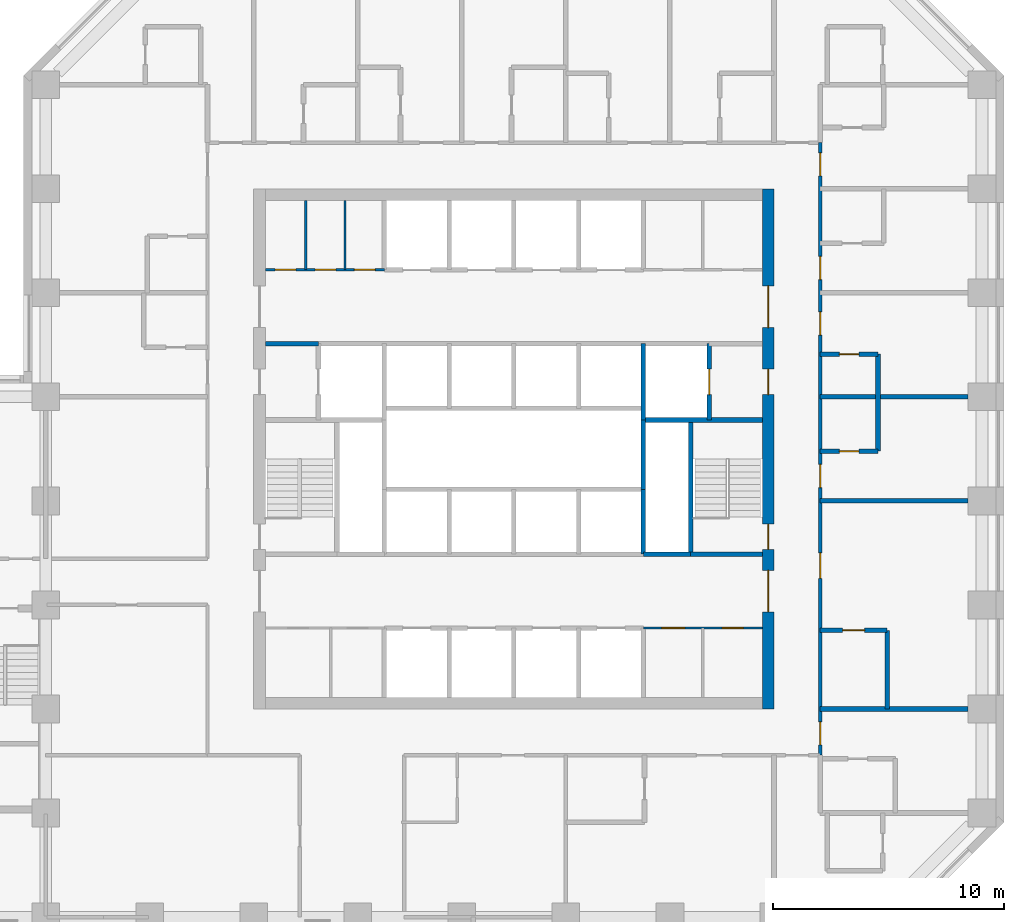
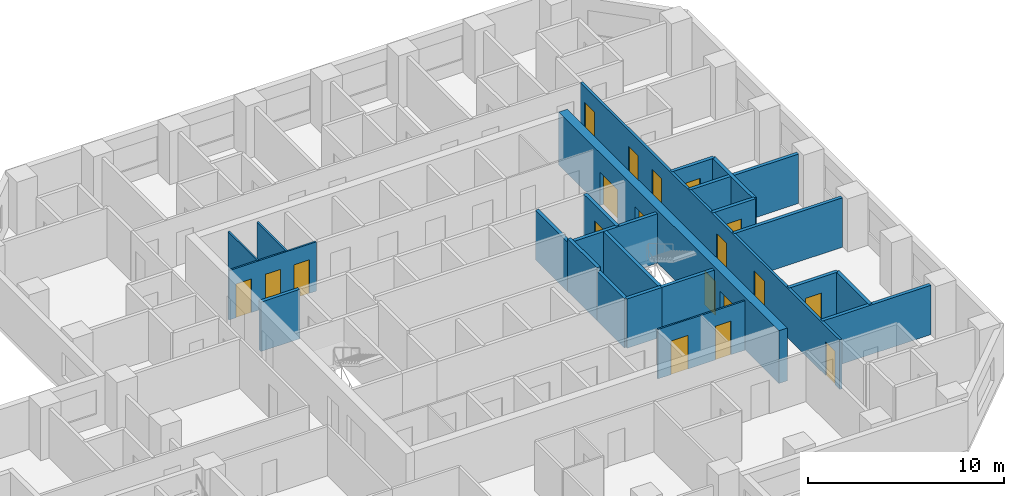
# One storey, part 8 of 12: 23 walls, 19 doors, 19 openings.
"""IFC4 building model written with IfcOpenShell, lengths in metres."""

from ifc_helpers import new_model, si_unit, direction, frame, frame_2d, origin, place, context, subcontext, project, spatial, rectangle, extrude, material, layer, layer_set, type_object, element, fill, save


model = new_model("IFC4")

# Units and contexts
model_context = context("Model", 3, precision=1e-05, world=origin(), true_north=direction((0.0, 1.0)))
body_context = subcontext(model_context, "Body", "Model", "MODEL_VIEW")
ifc_project = project(units=[si_unit("LENGTHUNIT", "METRE"), si_unit("AREAUNIT", "SQUARE_METRE"), si_unit("VOLUMEUNIT", "CUBIC_METRE"), si_unit("PLANEANGLEUNIT", "RADIAN"), si_unit("MASSUNIT", "GRAM", prefix="KILO")], contexts=[model_context])

# Site, building, storey
site_placement = place(None, origin())
site = spatial("IfcSite", under=ifc_project, at=site_placement, CompositionType="ELEMENT")
building_placement = place(site_placement, origin())
building = spatial("IfcBuilding", under=site, at=building_placement, Name="Quoin Convention Tower", CompositionType="ELEMENT")
storey_placement = place(building_placement, frame((0.0, 0.0, 46.199951171875)))
storey = spatial("IfcBuildingStorey", under=building, at=storey_placement, Name="L11", CompositionType="ELEMENT", Elevation=46.199951171875)

# Wall, openings, doors
ifc_material_1 = material(Name="Plasterboard")
ifc_layer_1 = layer(ifc_material_1, 0.012451171875, Name="Finish")
ifc_material_2 = material(Name="Steel stud framing", Category="steel")
ifc_layer_2 = layer(ifc_material_2, 0.074951171875, Name="Structure")
ifc_layer_3 = layer(ifc_material_1, 0.012451171875, Name="Finish")
ifc_layer_set_1 = layer_set([ifc_layer_1, ifc_layer_2, ifc_layer_3], Name="Steel stud framing")
wall_type_1 = type_object("IfcWallType", Name="Core partition wall", PredefinedType="PARTITIONING", material=ifc_layer_set_1)
wall_1_placement = place(storey_placement, frame((61.85009765625, 53.0, 0.0), z_axis=(0.0, 0.0, 1.0), x_axis=(1.0, 0.0, 0.0)))
wall_1 = element("IfcWall", 1, at=wall_1_placement, inside=storey, type_object=wall_type_1, Name="cr-C1-L11-h3500_16850", PredefinedType="PARTITIONING", context=body_context, shape_type="SweptSolid", body=[
    extrude(rectangle(XDim=5.14990234375, YDim=0.10009765625, at=frame_2d((2.574951171875, 0.0))), origin(), (0.0, 0.0, 1.0), 3.080078125),
])
opening_1_placement = place(wall_1_placement, frame((3.41259765625, 0.0, 0.0)))
opening_1 = element("IfcOpeningElement", 2, at=opening_1_placement, cuts=wall_1, Name="Opening DCV4-23", PredefinedType="OPENING", context=body_context, shape_type="SweptSolid", body=[
    extrude(rectangle(XDim=0.89990234375, YDim=2.10009765625, at=frame_2d((0.449951171875, 1.050048828125))), frame((0.0, 0.06005859375, 0.0), z_axis=(0.0, -1.0, 0.0), x_axis=(1.0, 0.0, 0.0)), (0.0, 0.0, 1.0), 0.1201171875),
])
opening_2_placement = place(wall_1_placement, frame((0.78759765625, 0.0, 0.0)))
opening_2 = element("IfcOpeningElement", 3, at=opening_2_placement, cuts=wall_1, Name="Opening DCV4-21", PredefinedType="OPENING", context=body_context, shape_type="SweptSolid", body=[
    extrude(rectangle(XDim=1.0, YDim=2.10009765625, at=frame_2d((0.5, 1.050048828125))), frame((0.0, 0.06005859375, 0.0), z_axis=(0.0, -1.0, 0.0), x_axis=(1.0, 0.0, 0.0)), (0.0, 0.0, 1.0), 0.1201171875),
])
ifc_material_3 = material(Name="Steel door leaf", Category="steel")
door_type_1 = type_object("IfcDoorType", Name="Core room door 1000 x 2100", OperationType="SINGLE_SWING_LEFT", PredefinedType="DOOR", material=ifc_material_3)
door_1_placement = place(opening_2_placement, frame((1.0, 0.0, 0.0), z_axis=(0.0, 0.0, 1.0), x_axis=(-1.0, 0.0, 0.0)))
door_1 = element("IfcDoor", 4, at=door_1_placement, inside=storey, type_object=door_type_1, Name="cd-C1-L11-CSE1-lobA-CD1113", OperationType="SINGLE_SWING_RIGHT", OverallHeight=2.10009765625, OverallWidth=1.0, PredefinedType="DOOR", context=body_context, shape_type="SweptSolid", body=[
    extrude(rectangle(XDim=1.0, YDim=2.10009765625, at=frame_2d((0.5, 1.050048828125))), frame((0.0, 0.02490234375, 0.0), z_axis=(0.0, -1.0, 0.0), x_axis=(1.0, 0.0, 0.0)), (0.0, 0.0, 1.0), 0.050048828125),
])
fill(opening_2, door_1)
door_type_2 = type_object("IfcDoorType", Name="Core room door 900 x 2100", OperationType="SINGLE_SWING_LEFT", PredefinedType="DOOR", material=ifc_material_3)
door_2_placement = place(opening_1_placement, frame((0.89990234375, 0.0, 0.0), z_axis=(0.0, 0.0, 1.0), x_axis=(-1.0, 0.0, 0.0)))
door_2 = element("IfcDoor", 5, at=door_2_placement, inside=storey, type_object=door_type_2, Name="cd-C1-L11-CSE0-lobA-CD1112", OperationType="SINGLE_SWING_LEFT", OverallHeight=2.10009765625, OverallWidth=0.89990234375, PredefinedType="DOOR", context=body_context, shape_type="SweptSolid", body=[
    extrude(rectangle(XDim=0.89990234375, YDim=2.10009765625, at=frame_2d((0.449951171875, 1.050048828125))), frame((0.0, 0.02490234375, 0.0), z_axis=(0.0, -1.0, 0.0), x_axis=(1.0, 0.0, 0.0)), (0.0, 0.0, 1.0), 0.050048828125),
])
fill(opening_1, door_2)

wall_2_placement = place(storey_placement, frame((45.5, 68.5, 0.0), z_axis=(0.0, 0.0, 1.0), x_axis=(1.0, 0.0, 0.0)))
wall_2 = element("IfcWall", 6, at=wall_2_placement, inside=storey, type_object=wall_type_1, Name="cr-C1-L11-h19000_500", PredefinedType="PARTITIONING", context=body_context, shape_type="SweptSolid", body=[
    extrude(rectangle(XDim=5.14990234375, YDim=0.10009765625, at=frame_2d((2.574951171875, 0.0))), origin(), (0.0, 0.0, 1.0), 3.080078125),
])
opening_3_placement = place(wall_2_placement, frame((0.425537109375, 0.0, 0.0)))
opening_3 = element("IfcOpeningElement", 7, at=opening_3_placement, cuts=wall_2, Name="Opening DCV4-18", PredefinedType="OPENING", context=body_context, shape_type="SweptSolid", body=[
    extrude(rectangle(XDim=0.89990234375, YDim=2.10009765625, at=frame_2d((0.449951171875, 1.050048828125))), frame((0.0, 0.06005859375, 0.0), z_axis=(0.0, -1.0, 0.0), x_axis=(1.0, 0.0, 0.0)), (0.0, 0.0, 1.0), 0.1201171875),
])
opening_4_placement = place(wall_2_placement, frame((2.150634765625, 0.0, 0.0)))
opening_4 = element("IfcOpeningElement", 8, at=opening_4_placement, cuts=wall_2, Name="Opening DCV4-19", PredefinedType="OPENING", context=body_context, shape_type="SweptSolid", body=[
    extrude(rectangle(XDim=0.89990234375, YDim=2.10009765625, at=frame_2d((0.449951171875, 1.050048828125))), frame((0.0, 0.06005859375, 0.0), z_axis=(0.0, -1.0, 0.0), x_axis=(1.0, 0.0, 0.0)), (0.0, 0.0, 1.0), 0.1201171875),
])
opening_5_placement = place(wall_2_placement, frame((3.85009765625, 0.0, 0.0)))
opening_5 = element("IfcOpeningElement", 9, at=opening_5_placement, cuts=wall_2, Name="Opening DCV4-20", PredefinedType="OPENING", context=body_context, shape_type="SweptSolid", body=[
    extrude(rectangle(XDim=0.89990234375, YDim=2.10009765625, at=frame_2d((0.449951171875, 1.050048828125))), frame((0.0, 0.06005859375, 0.0), z_axis=(0.0, -1.0, 0.0), x_axis=(1.0, 0.0, 0.0)), (0.0, 0.0, 1.0), 0.1201171875),
])
door_3_placement = place(opening_3_placement, origin())
door_3 = element("IfcDoor", 10, at=door_3_placement, inside=storey, type_object=door_type_2, Name="cd-C1-L11-CNW0-lobB-CD1109", OperationType="SINGLE_SWING_RIGHT", OverallHeight=2.10009765625, OverallWidth=0.89990234375, PredefinedType="DOOR", context=body_context, shape_type="SweptSolid", body=[
    extrude(rectangle(XDim=0.89990234375, YDim=2.10009765625, at=frame_2d((0.449951171875, 1.050048828125))), frame((0.0, 0.02490234375, 0.0), z_axis=(0.0, -1.0, 0.0), x_axis=(1.0, 0.0, 0.0)), (0.0, 0.0, 1.0), 0.050048828125),
])
fill(opening_3, door_3)
door_4_placement = place(opening_4_placement, origin())
door_4 = element("IfcDoor", 11, at=door_4_placement, inside=storey, type_object=door_type_2, Name="cd-C1-L11-CNW1-lobB-CD1110", OperationType="SINGLE_SWING_RIGHT", OverallHeight=2.10009765625, OverallWidth=0.89990234375, PredefinedType="DOOR", context=body_context, shape_type="SweptSolid", body=[
    extrude(rectangle(XDim=0.89990234375, YDim=2.10009765625, at=frame_2d((0.449951171875, 1.050048828125))), frame((0.0, 0.02490234375, 0.0), z_axis=(0.0, -1.0, 0.0), x_axis=(1.0, 0.0, 0.0)), (0.0, 0.0, 1.0), 0.050048828125),
])
fill(opening_4, door_4)
door_5_placement = place(opening_5_placement, origin())
door_5 = element("IfcDoor", 12, at=door_5_placement, inside=storey, type_object=door_type_2, Name="cd-C1-L11-CNW2-lobB-CD1111", OperationType="SINGLE_SWING_RIGHT", OverallHeight=2.10009765625, OverallWidth=0.89990234375, PredefinedType="DOOR", context=body_context, shape_type="SweptSolid", body=[
    extrude(rectangle(XDim=0.89990234375, YDim=2.10009765625, at=frame_2d((0.449951171875, 1.050048828125))), frame((0.0, 0.02490234375, 0.0), z_axis=(0.0, -1.0, 0.0), x_axis=(1.0, 0.0, 0.0)), (0.0, 0.0, 1.0), 0.050048828125),
])
fill(opening_5, door_5)

# Walls
for number, where, z_axis, x_axis, name in (
    (13, (47.2509765625, 68.5, 0.0), (0.0, 0.0, 1.0), (0.0, 1.0, 0.0), "cr-C1-L11-v2251_19000"),
    (14, (48.950439453125, 68.5, 0.0), (0.0, 0.0, 1.0), (0.0, 1.0, 0.0), "cr-C1-L11-v3950_19000"),
):
    element("IfcWall", number, at=place(storey_placement, frame(where, z_axis=z_axis, x_axis=x_axis)), inside=storey, type_object=wall_type_1, Name=name, PredefinedType="PARTITIONING", context=body_context, shape_type="SweptSolid", body=[
        extrude(rectangle(XDim=3.0, YDim=0.10009765625, at=frame_2d((1.5, 0.0))), origin(), (0.0, 0.0, 1.0), 3.080078125),
    ])
ifc_material_4 = material(Name="Concrete C50", Category="concrete")
ifc_layer_4 = layer(ifc_material_4, 0.199951171875)
ifc_layer_set_2 = layer_set([ifc_layer_4], Name="Concrete C50")
wall_type_2 = type_object("IfcWallType", Name="Core shaft wall", PredefinedType="SOLIDWALL", material=ifc_layer_set_2)
wall_3_placement = place(storey_placement, frame((61.85009765625, 56.199951171875, 0.0), z_axis=(0.0, 0.0, 1.0), x_axis=(1.0, 0.0, 0.0)))
element("IfcWall", 15, at=wall_3_placement, inside=storey, type_object=wall_type_2, Name="cr-C1-L11-h6700_16850", PredefinedType="SOLIDWALL", context=body_context, shape_type="SweptSolid", body=[
    extrude(rectangle(XDim=2.0498046875, YDim=0.199951171875, at=frame_2d((1.02490234375, 0.0))), origin(), (0.0, 0.0, 1.0), 3.080078125),
])
wall_4_placement = place(storey_placement, frame((63.89990234375, 56.199951171875, 0.0), z_axis=(0.0, 0.0, 1.0), x_axis=(1.0, 0.0, 0.0)))
element("IfcWall", 16, at=wall_4_placement, inside=storey, type_object=wall_type_2, Name="cr-C1-L11-h6700_18900", PredefinedType="SOLIDWALL", context=body_context, shape_type="SweptSolid", body=[
    extrude(rectangle(XDim=3.10009765625, YDim=0.199951171875, at=frame_2d((1.550048828125, 0.0))), origin(), (0.0, 0.0, 1.0), 3.080078125),
])
wall_5_placement = place(storey_placement, frame((61.85009765625, 62.0, 0.0), z_axis=(0.0, 0.0, 1.0), x_axis=(1.0, 0.0, 0.0)))
element("IfcWall", 17, at=wall_5_placement, inside=storey, type_object=wall_type_2, Name="cr-C1-L11-h12500_16850", PredefinedType="SOLIDWALL", context=body_context, shape_type="SweptSolid", body=[
    extrude(rectangle(XDim=5.14990234375, YDim=0.199951171875, at=frame_2d((2.574951171875, 0.0))), origin(), (0.0, 0.0, 1.0), 3.080078125),
])
wall_6_placement = place(storey_placement, frame((45.5, 65.300048828125, 0.0), z_axis=(0.0, 0.0, 1.0), x_axis=(1.0, 0.0, 0.0)))
element("IfcWall", 18, at=wall_6_placement, inside=storey, type_object=wall_type_2, Name="cr-C1-L11-h15800_500", PredefinedType="SOLIDWALL", context=body_context, shape_type="SweptSolid", body=[
    extrude(rectangle(XDim=2.300048828125, YDim=0.199951171875, at=frame_2d((1.14990234375, 0.0))), origin(), (0.0, 0.0, 1.0), 3.080078125),
])
wall_7_placement = place(storey_placement, frame((61.85009765625, 56.199951171875, 0.0), z_axis=(0.0, 0.0, 1.0), x_axis=(0.0, 1.0, 0.0)))
element("IfcWall", 19, at=wall_7_placement, inside=storey, type_object=wall_type_2, Name="cr-C1-L11-v16850_6700", PredefinedType="SOLIDWALL", context=body_context, shape_type="SweptSolid", body=[
    extrude(rectangle(XDim=2.800048828125, YDim=0.199951171875, at=frame_2d((1.39990234375, 0.0))), origin(), (0.0, 0.0, 1.0), 3.080078125),
])
wall_8_placement = place(storey_placement, frame((61.85009765625, 62.0, 0.0), z_axis=(0.0, 0.0, 1.0), x_axis=(0.0, 1.0, 0.0)))
element("IfcWall", 20, at=wall_8_placement, inside=storey, type_object=wall_type_2, Name="cr-C1-L11-v16850_12500", PredefinedType="SOLIDWALL", context=body_context, shape_type="SweptSolid", body=[
    extrude(rectangle(XDim=3.300048828125, YDim=0.199951171875, at=frame_2d((1.64990234375, 0.0))), origin(), (0.0, 0.0, 1.0), 3.080078125),
])
wall_9_placement = place(storey_placement, frame((63.89990234375, 56.199951171875, 0.0), z_axis=(0.0, 0.0, 1.0), x_axis=(0.0, 1.0, 0.0)))
element("IfcWall", 21, at=wall_9_placement, inside=storey, type_object=wall_type_2, Name="cr-C1-L11-v18900_6700", PredefinedType="SOLIDWALL", context=body_context, shape_type="SweptSolid", body=[
    extrude(rectangle(XDim=5.800048828125, YDim=0.199951171875, at=frame_2d((2.89990234375, 0.0))), origin(), (0.0, 0.0, 1.0), 3.080078125),
])

# Wall, opening, door
wall_10_placement = place(storey_placement, frame((64.699951171875, 62.0, 0.0), z_axis=(0.0, 0.0, 1.0), x_axis=(0.0, 1.0, 0.0)))
wall_10 = element("IfcWall", 22, at=wall_10_placement, inside=storey, type_object=wall_type_2, Name="cr-C1-L11-v19700_12500", PredefinedType="SOLIDWALL", context=body_context, shape_type="SweptSolid", body=[
    extrude(rectangle(XDim=3.300048828125, YDim=0.199951171875, at=frame_2d((1.64990234375, 0.0))), origin(), (0.0, 0.0, 1.0), 3.080078125),
])
opening_6_placement = place(wall_10_placement, frame((1.10009765625, 0.0, 0.0)))
opening_6 = element("IfcOpeningElement", 23, at=opening_6_placement, cuts=wall_10, Name="Opening LDFL2", PredefinedType="OPENING", context=body_context, shape_type="SweptSolid", body=[
    extrude(rectangle(XDim=1.10009765625, YDim=2.10009765625, at=frame_2d((0.550048828125, 1.050048828125))), frame((0.0, 0.10986328125, 0.0), z_axis=(0.0, -1.0, 0.0), x_axis=(1.0, 0.0, 0.0)), (0.0, 0.0, 1.0), 0.219970703125),
])
door_type_3 = type_object("IfcDoorType", Name="Lift landing door 1100 x 2100", OperationType="DOUBLE_DOOR_SLIDING", PredefinedType="DOOR", material=ifc_material_3)
door_6_placement = place(opening_6_placement, origin())
door_6 = element("IfcDoor", 24, at=door_6_placement, inside=storey, type_object=door_type_3, Name="cd-C1-L11-FLE-FFE-LDFL2", OperationType="DOUBLE_DOOR_SLIDING", OverallHeight=2.10009765625, OverallWidth=1.10009765625, PredefinedType="DOOR", context=body_context, shape_type="SweptSolid", body=[
    extrude(rectangle(XDim=1.10009765625, YDim=2.10009765625, at=frame_2d((0.550048828125, 1.050048828125))), frame((0.0, 0.02490234375, 0.0), z_axis=(0.0, -1.0, 0.0), x_axis=(1.0, 0.0, 0.0)), (0.0, 0.0, 1.0), 0.050048828125),
])
fill(opening_6, door_6)

# Wall
ifc_layer_5 = layer(ifc_material_4, 0.199951171875)
ifc_layer_set_3 = layer_set([ifc_layer_5], Name="Concrete C50")
wall_type_3 = type_object("IfcWallType", Name="Core shaft wall to the floor level over", PredefinedType="SOLIDWALL", material=ifc_layer_set_3)
wall_11_placement = place(storey_placement, frame((61.85009765625, 59.0, 0.0), z_axis=(0.0, 0.0, 1.0), x_axis=(0.0, 1.0, 0.0)))
element("IfcWall", 25, at=wall_11_placement, inside=storey, type_object=wall_type_3, Name="cr-C1-L11-v16850_9500", PredefinedType="SOLIDWALL", context=body_context, shape_type="SweptSolid", body=[
    extrude(rectangle(XDim=3.0, YDim=0.199951171875, at=frame_2d((1.5, 0.0))), origin(), (0.0, 0.0, 1.0), 3.300048828125),
])

# Wall, openings, doors
ifc_material_5 = material(Name="Concrete C80", Category="concrete")
ifc_layer_6 = layer(ifc_material_5, 0.5)
ifc_layer_set_4 = layer_set([ifc_layer_6], Name="Concrete C80")
wall_type_4 = type_object("IfcWallType", Name="RC CORE WALL 500 C80", PredefinedType="SHEAR", material=ifc_layer_set_4)
wall_12_placement = place(storey_placement, frame((67.25, 49.5, 0.0), z_axis=(0.0, 0.0, 1.0), x_axis=(0.0, 1.0, 0.0)))
wall_12 = element("IfcWall", 26, at=wall_12_placement, inside=storey, type_object=wall_type_4, Name="cwl-C1-L11-E", PredefinedType="SHEAR", context=body_context, shape_type="SweptSolid", body=[
    extrude(rectangle(XDim=22.5, YDim=0.5, at=frame_2d((11.25, 0.0))), origin(), (0.0, 0.0, 1.0), 3.300048828125),
])
opening_7_placement = place(wall_12_placement, frame((4.199951171875, 0.0, 0.0)))
opening_7 = element("IfcOpeningElement", 27, at=opening_7_placement, cuts=wall_12, Name="Opening DCV4-39", PredefinedType="OPENING", context=body_context, shape_type="SweptSolid", body=[
    extrude(rectangle(XDim=1.800048828125, YDim=2.10009765625, at=frame_2d((0.89990234375, 1.050048828125))), frame((0.0, 0.260009765625, 0.0), z_axis=(0.0, -1.0, 0.0), x_axis=(1.0, 0.0, 0.0)), (0.0, 0.0, 1.0), 0.52001953125),
])
opening_8_placement = place(wall_12_placement, frame((6.89990234375, 0.0, 0.0)))
opening_8 = element("IfcOpeningElement", 28, at=opening_8_placement, cuts=wall_12, Name="Opening SD2", PredefinedType="OPENING", context=body_context, shape_type="SweptSolid", body=[
    extrude(rectangle(XDim=1.10009765625, YDim=2.10009765625, at=frame_2d((0.550048828125, 1.050048828125))), frame((0.0, 0.260009765625, 0.0), z_axis=(0.0, -1.0, 0.0), x_axis=(1.0, 0.0, 0.0)), (0.0, 0.0, 1.0), 0.52001953125),
])
opening_9_placement = place(wall_12_placement, frame((13.60009765625, 0.0, 0.0)))
opening_9 = element("IfcOpeningElement", 29, at=opening_9_placement, cuts=wall_12, Name="Opening DCV4-38", PredefinedType="OPENING", context=body_context, shape_type="SweptSolid", body=[
    extrude(rectangle(XDim=1.10009765625, YDim=2.10009765625, at=frame_2d((0.550048828125, 1.050048828125))), frame((0.0, 0.260009765625, 0.0), z_axis=(0.0, -1.0, 0.0), x_axis=(1.0, 0.0, 0.0)), (0.0, 0.0, 1.0), 0.52001953125),
])
opening_10_placement = place(wall_12_placement, frame((16.5, 0.0, 0.0)))
opening_10 = element("IfcOpeningElement", 30, at=opening_10_placement, cuts=wall_12, Name="Opening DCV4-39", PredefinedType="OPENING", context=body_context, shape_type="SweptSolid", body=[
    extrude(rectangle(XDim=1.800048828125, YDim=2.10009765625, at=frame_2d((0.89990234375, 1.050048828125))), frame((0.0, 0.260009765625, 0.0), z_axis=(0.0, -1.0, 0.0), x_axis=(1.0, 0.0, 0.0)), (0.0, 0.0, 1.0), 0.52001953125),
])
door_type_4 = type_object("IfcDoorType", Name="Fire-fighting lobby door 1100 x 2100", OperationType="SINGLE_SWING_LEFT", PredefinedType="DOOR", material=ifc_material_3)
door_7_placement = place(opening_9_placement, origin())
door_7 = element("IfcDoor", 31, at=door_7_placement, inside=storey, type_object=door_type_4, Name="cd-C1-L11-FFE-E", OperationType="SINGLE_SWING_RIGHT", OverallHeight=2.10009765625, OverallWidth=1.10009765625, PredefinedType="DOOR", context=body_context, shape_type="SweptSolid", body=[
    extrude(rectangle(XDim=1.10009765625, YDim=2.10009765625, at=frame_2d((0.550048828125, 1.050048828125))), frame((0.0, 0.02490234375, 0.0), z_axis=(0.0, -1.0, 0.0), x_axis=(1.0, 0.0, 0.0)), (0.0, 0.0, 1.0), 0.050048828125),
])
fill(opening_9, door_7)
door_type_5 = type_object("IfcDoorType", Name="Lift lobby door 1800 x 2100", OperationType="SINGLE_SWING_LEFT", PredefinedType="DOOR", material=ifc_material_3)
door_8_placement = place(opening_7_placement, origin())
door_8 = element("IfcDoor", 32, at=door_8_placement, inside=storey, type_object=door_type_5, Name="cd-C1-L11-lobA-E", OperationType="SINGLE_SWING_RIGHT", OverallHeight=2.10009765625, OverallWidth=1.800048828125, PredefinedType="DOOR", context=body_context, shape_type="SweptSolid", body=[
    extrude(rectangle(XDim=1.800048828125, YDim=2.10009765625, at=frame_2d((0.89990234375, 1.050048828125))), frame((0.0, 0.02490234375, 0.0), z_axis=(0.0, -1.0, 0.0), x_axis=(1.0, 0.0, 0.0)), (0.0, 0.0, 1.0), 0.050048828125),
])
fill(opening_7, door_8)
door_9_placement = place(opening_10_placement, origin())
door_9 = element("IfcDoor", 33, at=door_9_placement, inside=storey, type_object=door_type_5, Name="cd-C1-L11-lobB-E", OperationType="SINGLE_SWING_RIGHT", OverallHeight=2.10009765625, OverallWidth=1.800048828125, PredefinedType="DOOR", context=body_context, shape_type="SweptSolid", body=[
    extrude(rectangle(XDim=1.800048828125, YDim=2.10009765625, at=frame_2d((0.89990234375, 1.050048828125))), frame((0.0, 0.02490234375, 0.0), z_axis=(0.0, -1.0, 0.0), x_axis=(1.0, 0.0, 0.0)), (0.0, 0.0, 1.0), 0.050048828125),
])
fill(opening_10, door_9)
door_type_6 = type_object("IfcDoorType", Name="Stair door 1100 x 2100", OperationType="SINGLE_SWING_RIGHT", PredefinedType="DOOR", material=ifc_material_3)
door_10_placement = place(opening_8_placement, origin())
door_10 = element("IfcDoor", 34, at=door_10_placement, inside=storey, type_object=door_type_6, Name="cd-C1-L11-STE-E", OperationType="SINGLE_SWING_LEFT", OverallHeight=2.10009765625, OverallWidth=1.10009765625, PredefinedType="DOOR", context=body_context, shape_type="SweptSolid", body=[
    extrude(rectangle(XDim=1.10009765625, YDim=2.10009765625, at=frame_2d((0.550048828125, 1.050048828125))), frame((0.0, 0.02490234375, 0.0), z_axis=(0.0, -1.0, 0.0), x_axis=(1.0, 0.0, 0.0)), (0.0, 0.0, 1.0), 0.050048828125),
])
fill(opening_8, door_10)

# Walls
ifc_layer_7 = layer(ifc_material_4, 0.199951171875)
ifc_layer_set_5 = layer_set([ifc_layer_7], Name="Concrete C50")
wall_type_5 = type_object("IfcWallType", Name="RC party wall", PredefinedType="SOLIDWALL", material=ifc_layer_set_5)
wall_13_placement = place(storey_placement, frame((69.5, 49.5, 0.0), z_axis=(0.0, 0.0, 1.0), x_axis=(1.0, 0.0, 0.0)))
element("IfcWall", 35, at=wall_13_placement, inside=storey, type_object=wall_type_5, Name="pw-L11-087", PredefinedType="SOLIDWALL", context=body_context, shape_type="SweptSolid", body=[
    extrude(rectangle(XDim=6.39990234375, YDim=0.199951171875, at=frame_2d((3.199951171875, 0.0))), origin(), (0.0, 0.0, 1.0), 3.080078125),
])
wall_14_placement = place(storey_placement, frame((72.39990234375, 49.5, 0.0), z_axis=(0.0, 0.0, 1.0), x_axis=(0.0, 1.0, 0.0)))
element("IfcWall", 36, at=wall_14_placement, inside=storey, type_object=wall_type_5, Name="pw-L11-088", PredefinedType="SOLIDWALL", context=body_context, shape_type="SweptSolid", body=[
    extrude(rectangle(XDim=3.39990234375, YDim=0.199951171875, at=frame_2d((1.699951171875, 0.0))), origin(), (0.0, 0.0, 1.0), 3.080078125),
])

# Wall, opening, door
wall_15_placement = place(storey_placement, frame((69.5, 52.89990234375, 0.0), z_axis=(0.0, 0.0, 1.0), x_axis=(1.0, 0.0, 0.0)))
wall_15 = element("IfcWall", 37, at=wall_15_placement, inside=storey, type_object=wall_type_5, Name="pw-L11-089", PredefinedType="SOLIDWALL", context=body_context, shape_type="SweptSolid", body=[
    extrude(rectangle(XDim=2.89990234375, YDim=0.199951171875, at=frame_2d((1.449951171875, 0.0))), origin(), (0.0, 0.0, 1.0), 3.080078125),
])
opening_11_placement = place(wall_15_placement, frame((0.97509765625, 0.0, 0.0)))
opening_11 = element("IfcOpeningElement", 38, at=opening_11_placement, cuts=wall_15, Name="Opening DHOTEL-H-58", PredefinedType="OPENING", context=body_context, shape_type="SweptSolid", body=[
    extrude(rectangle(XDim=0.949951171875, YDim=2.10009765625, at=frame_2d((0.47509765625, 1.050048828125))), frame((0.0, 0.10986328125, 0.0), z_axis=(0.0, -1.0, 0.0), x_axis=(1.0, 0.0, 0.0)), (0.0, 0.0, 1.0), 0.219970703125),
])
door_type_7 = type_object("IfcDoorType", Name="Accessible bathroom door", OperationType="SINGLE_SWING_LEFT", PredefinedType="DOOR", material=ifc_material_3)
door_11_placement = place(opening_11_placement, origin())
door_11 = element("IfcDoor", 39, at=door_11_placement, inside=storey, type_object=door_type_7, Name="dr-L11-052", OperationType="SINGLE_SWING_LEFT", OverallHeight=2.10009765625, OverallWidth=0.949951171875, PredefinedType="DOOR", context=body_context, shape_type="SweptSolid", body=[
    extrude(rectangle(XDim=0.949951171875, YDim=2.10009765625, at=frame_2d((0.47509765625, 1.050048828125))), frame((0.0, 0.02490234375, 0.0), z_axis=(0.0, -1.0, 0.0), x_axis=(1.0, 0.0, 0.0)), (0.0, 0.0, 1.0), 0.050048828125),
])
fill(opening_11, door_11)

# Wall
wall_16_placement = place(storey_placement, frame((69.5, 58.5, 0.0), z_axis=(0.0, 0.0, 1.0), x_axis=(1.0, 0.0, 0.0)))
element("IfcWall", 40, at=wall_16_placement, inside=storey, type_object=wall_type_5, Name="pw-L11-101", PredefinedType="SOLIDWALL", context=body_context, shape_type="SweptSolid", body=[
    extrude(rectangle(XDim=6.39990234375, YDim=0.199951171875, at=frame_2d((3.199951171875, 0.0))), origin(), (0.0, 0.0, 1.0), 3.080078125),
])

# Wall, opening, door
wall_17_placement = place(storey_placement, frame((69.5, 60.64990234375, 0.0), z_axis=(0.0, 0.0, 1.0), x_axis=(1.0, 0.0, 0.0)))
wall_17 = element("IfcWall", 41, at=wall_17_placement, inside=storey, type_object=wall_type_5, Name="pw-L11-104", PredefinedType="SOLIDWALL", context=body_context, shape_type="SweptSolid", body=[
    extrude(rectangle(XDim=2.5, YDim=0.199951171875, at=frame_2d((1.25, 0.0))), origin(), (0.0, 0.0, 1.0), 3.080078125),
])
opening_12_placement = place(wall_17_placement, frame((0.824951171875, 0.0, 0.0)))
opening_12 = element("IfcOpeningElement", 42, at=opening_12_placement, cuts=wall_17, Name="Opening DHOTEL-H-60", PredefinedType="OPENING", context=body_context, shape_type="SweptSolid", body=[
    extrude(rectangle(XDim=0.85009765625, YDim=2.10009765625, at=frame_2d((0.425048828125, 1.050048828125))), frame((0.0, 0.10986328125, 0.0), z_axis=(0.0, -1.0, 0.0), x_axis=(1.0, 0.0, 0.0)), (0.0, 0.0, 1.0), 0.219970703125),
])
door_type_8 = type_object("IfcDoorType", Name="Bathroom door", OperationType="SINGLE_SWING_LEFT", PredefinedType="DOOR", material=ifc_material_3)
door_12_placement = place(opening_12_placement, origin())
door_12 = element("IfcDoor", 43, at=door_12_placement, inside=storey, type_object=door_type_8, Name="dr-L11-050", OperationType="SINGLE_SWING_LEFT", OverallHeight=2.10009765625, OverallWidth=0.85009765625, PredefinedType="DOOR", context=body_context, shape_type="SweptSolid", body=[
    extrude(rectangle(XDim=0.85009765625, YDim=2.10009765625, at=frame_2d((0.425048828125, 1.050048828125))), frame((0.0, 0.02490234375, 0.0), z_axis=(0.0, -1.0, 0.0), x_axis=(1.0, 0.0, 0.0)), (0.0, 0.0, 1.0), 0.050048828125),
])
fill(opening_12, door_12)

# Walls
wall_18_placement = place(storey_placement, frame((72.0, 60.64990234375, 0.0), z_axis=(0.0, 0.0, 1.0), x_axis=(0.0, 1.0, 0.0)))
element("IfcWall", 44, at=wall_18_placement, inside=storey, type_object=wall_type_5, Name="pw-L11-105", PredefinedType="SOLIDWALL", context=body_context, shape_type="SweptSolid", body=[
    extrude(rectangle(XDim=4.2001953125, YDim=0.199951171875, at=frame_2d((2.10009765625, 0.0))), origin(), (0.0, 0.0, 1.0), 3.080078125),
])
wall_19_placement = place(storey_placement, frame((69.5, 63.0, 0.0), z_axis=(0.0, 0.0, 1.0), x_axis=(1.0, 0.0, 0.0)))
element("IfcWall", 45, at=wall_19_placement, inside=storey, type_object=wall_type_5, Name="pw-L11-107", PredefinedType="SOLIDWALL", context=body_context, shape_type="SweptSolid", body=[
    extrude(rectangle(XDim=6.39990234375, YDim=0.199951171875, at=frame_2d((3.199951171875, 0.0))), origin(), (0.0, 0.0, 1.0), 3.080078125),
])

# Wall, opening, door
wall_20_placement = place(storey_placement, frame((69.5, 64.85009765625, 0.0), z_axis=(0.0, 0.0, 1.0), x_axis=(1.0, 0.0, 0.0)))
wall_20 = element("IfcWall", 46, at=wall_20_placement, inside=storey, type_object=wall_type_5, Name="pw-L11-108", PredefinedType="SOLIDWALL", context=body_context, shape_type="SweptSolid", body=[
    extrude(rectangle(XDim=2.5, YDim=0.199951171875, at=frame_2d((1.25, 0.0))), origin(), (0.0, 0.0, 1.0), 3.080078125),
])
opening_13_placement = place(wall_20_placement, frame((0.824951171875, 0.0, 0.0)))
opening_13 = element("IfcOpeningElement", 47, at=opening_13_placement, cuts=wall_20, Name="Opening DHOTEL-H-61", PredefinedType="OPENING", context=body_context, shape_type="SweptSolid", body=[
    extrude(rectangle(XDim=0.85009765625, YDim=2.10009765625, at=frame_2d((0.425048828125, 1.050048828125))), frame((0.0, 0.10986328125, 0.0), z_axis=(0.0, -1.0, 0.0), x_axis=(1.0, 0.0, 0.0)), (0.0, 0.0, 1.0), 0.219970703125),
])
door_13_placement = place(opening_13_placement, origin())
door_13 = element("IfcDoor", 48, at=door_13_placement, inside=storey, type_object=door_type_8, Name="dr-L11-048", OperationType="SINGLE_SWING_LEFT", OverallHeight=2.10009765625, OverallWidth=0.85009765625, PredefinedType="DOOR", context=body_context, shape_type="SweptSolid", body=[
    extrude(rectangle(XDim=0.85009765625, YDim=2.10009765625, at=frame_2d((0.425048828125, 1.050048828125))), frame((0.0, 0.02490234375, 0.0), z_axis=(0.0, -1.0, 0.0), x_axis=(1.0, 0.0, 0.0)), (0.0, 0.0, 1.0), 0.050048828125),
])
fill(opening_13, door_13)

# Wall, openings, doors
ifc_layer_8 = layer(ifc_material_1, 0.012451171875, Name="Finish")
ifc_layer_9 = layer(ifc_material_2, 0.125, Name="Structure")
ifc_layer_10 = layer(ifc_material_1, 0.012451171875, Name="Finish")
ifc_layer_set_6 = layer_set([ifc_layer_8, ifc_layer_9, ifc_layer_10], Name="Steel stud framing")
wall_type_6 = type_object("IfcWallType", Name="corridor partition", PredefinedType="PARTITIONING", material=ifc_layer_set_6)
wall_21_placement = place(storey_placement, frame((69.5, 47.5, 0.0), z_axis=(0.0, 0.0, 1.0), x_axis=(0.0, 1.0, 0.0)))
wall_21 = element("IfcWall", 49, at=wall_21_placement, inside=storey, type_object=wall_type_6, Name="pw-L11-029", PredefinedType="PARTITIONING", context=body_context, shape_type="SweptSolid", body=[
    extrude(rectangle(XDim=26.5, YDim=0.14990234375, at=frame_2d((13.25, 0.0))), origin(), (0.0, 0.0, 1.0), 3.080078125),
])
opening_14_placement = place(wall_21_placement, frame((25.052978515625, 0.0, 0.0)))
opening_14 = element("IfcOpeningElement", 50, at=opening_14_placement, cuts=wall_21, Name="Opening DHOTEL-H-29", PredefinedType="OPENING", context=body_context, shape_type="SweptSolid", body=[
    extrude(rectangle(XDim=1.0, YDim=2.10009765625, at=frame_2d((0.5, 1.050048828125))), frame((0.0, 0.0849609375, 0.0), z_axis=(0.0, -1.0, 0.0), x_axis=(1.0, 0.0, 0.0)), (0.0, 0.0, 1.0), 0.169921875),
])
opening_15_placement = place(wall_21_placement, frame((20.574951171875, 0.0, 0.0)))
opening_15 = element("IfcOpeningElement", 51, at=opening_15_placement, cuts=wall_21, Name="Opening DHOTEL-H-28", PredefinedType="OPENING", context=body_context, shape_type="SweptSolid", body=[
    extrude(rectangle(XDim=1.0, YDim=2.10009765625, at=frame_2d((0.5, 1.050048828125))), frame((0.0, 0.0849609375, 0.0), z_axis=(0.0, -1.0, 0.0), x_axis=(1.0, 0.0, 0.0)), (0.0, 0.0, 1.0), 0.169921875),
])
opening_16_placement = place(wall_21_placement, frame((18.175048828125, 0.0, 0.0)))
opening_16 = element("IfcOpeningElement", 52, at=opening_16_placement, cuts=wall_21, Name="Opening DHOTEL-H-27", PredefinedType="OPENING", context=body_context, shape_type="SweptSolid", body=[
    extrude(rectangle(XDim=1.0, YDim=2.10009765625, at=frame_2d((0.5, 1.050048828125))), frame((0.0, 0.0849609375, 0.0), z_axis=(0.0, -1.0, 0.0), x_axis=(1.0, 0.0, 0.0)), (0.0, 0.0, 1.0), 0.169921875),
])
opening_17_placement = place(wall_21_placement, frame((11.574951171875, 0.0, 0.0)))
opening_17 = element("IfcOpeningElement", 53, at=opening_17_placement, cuts=wall_21, Name="Opening DHOTEL-H-26", PredefinedType="OPENING", context=body_context, shape_type="SweptSolid", body=[
    extrude(rectangle(XDim=1.0, YDim=2.10009765625, at=frame_2d((0.5, 1.050048828125))), frame((0.0, 0.0849609375, 0.0), z_axis=(0.0, -1.0, 0.0), x_axis=(1.0, 0.0, 0.0)), (0.0, 0.0, 1.0), 0.169921875),
])
opening_18_placement = place(wall_21_placement, frame((7.64990234375, 0.0, 0.0)))
opening_18 = element("IfcOpeningElement", 54, at=opening_18_placement, cuts=wall_21, Name="Opening DHOTEL-H-25", PredefinedType="OPENING", context=body_context, shape_type="SweptSolid", body=[
    extrude(rectangle(XDim=1.10009765625, YDim=2.10009765625, at=frame_2d((0.550048828125, 1.050048828125))), frame((0.0, 0.0849609375, 0.0), z_axis=(0.0, -1.0, 0.0), x_axis=(1.0, 0.0, 0.0)), (0.0, 0.0, 1.0), 0.169921875),
])
opening_19_placement = place(wall_21_placement, frame((0.447021484375, 0.0, 0.0)))
opening_19 = element("IfcOpeningElement", 55, at=opening_19_placement, cuts=wall_21, Name="Opening DHOTEL-H-24", PredefinedType="OPENING", context=body_context, shape_type="SweptSolid", body=[
    extrude(rectangle(XDim=1.0, YDim=2.10009765625, at=frame_2d((0.5, 1.050048828125))), frame((0.0, 0.0849609375, 0.0), z_axis=(0.0, -1.0, 0.0), x_axis=(1.0, 0.0, 0.0)), (0.0, 0.0, 1.0), 0.169921875),
])
door_type_9 = type_object("IfcDoorType", Name="Accessible room door", OperationType="SINGLE_SWING_LEFT", PredefinedType="DOOR", material=ifc_material_3)
door_14_placement = place(opening_18_placement, frame((1.10009765625, 0.0, 0.0), z_axis=(0.0, 0.0, 1.0), x_axis=(-1.0, 0.0, 0.0)))
door_14 = element("IfcDoor", 56, at=door_14_placement, inside=storey, type_object=door_type_9, Name="dr-L11-051", OperationType="SINGLE_SWING_LEFT", OverallHeight=2.10009765625, OverallWidth=1.10009765625, PredefinedType="DOOR", context=body_context, shape_type="SweptSolid", body=[
    extrude(rectangle(XDim=1.10009765625, YDim=2.10009765625, at=frame_2d((0.550048828125, 1.050048828125))), frame((0.0, 0.02490234375, 0.0), z_axis=(0.0, -1.0, 0.0), x_axis=(1.0, 0.0, 0.0)), (0.0, 0.0, 1.0), 0.050048828125),
])
fill(opening_18, door_14)
door_type_10 = type_object("IfcDoorType", Name="Hotel room door", OperationType="SINGLE_SWING_LEFT", PredefinedType="DOOR", material=ifc_material_3)
door_15_placement = place(opening_14_placement, frame((1.0, 0.0, 0.0), z_axis=(0.0, 0.0, 1.0), x_axis=(-1.0, 0.0, 0.0)))
door_15 = element("IfcDoor", 57, at=door_15_placement, inside=storey, type_object=door_type_10, Name="dr-L11-043", OperationType="SINGLE_SWING_LEFT", OverallHeight=2.10009765625, OverallWidth=1.0, PredefinedType="DOOR", context=body_context, shape_type="SweptSolid", body=[
    extrude(rectangle(XDim=1.0, YDim=2.10009765625, at=frame_2d((0.5, 1.050048828125))), frame((0.0, 0.02490234375, 0.0), z_axis=(0.0, -1.0, 0.0), x_axis=(1.0, 0.0, 0.0)), (0.0, 0.0, 1.0), 0.050048828125),
])
fill(opening_14, door_15)
door_16_placement = place(opening_15_placement, frame((1.0, 0.0, 0.0), z_axis=(0.0, 0.0, 1.0), x_axis=(-1.0, 0.0, 0.0)))
door_16 = element("IfcDoor", 58, at=door_16_placement, inside=storey, type_object=door_type_10, Name="dr-L11-045", OperationType="SINGLE_SWING_LEFT", OverallHeight=2.10009765625, OverallWidth=1.0, PredefinedType="DOOR", context=body_context, shape_type="SweptSolid", body=[
    extrude(rectangle(XDim=1.0, YDim=2.10009765625, at=frame_2d((0.5, 1.050048828125))), frame((0.0, 0.02490234375, 0.0), z_axis=(0.0, -1.0, 0.0), x_axis=(1.0, 0.0, 0.0)), (0.0, 0.0, 1.0), 0.050048828125),
])
fill(opening_15, door_16)
door_17_placement = place(opening_16_placement, frame((1.0, 0.0, 0.0), z_axis=(0.0, 0.0, 1.0), x_axis=(-1.0, 0.0, 0.0)))
door_17 = element("IfcDoor", 59, at=door_17_placement, inside=storey, type_object=door_type_10, Name="dr-L11-047", OperationType="SINGLE_SWING_LEFT", OverallHeight=2.10009765625, OverallWidth=1.0, PredefinedType="DOOR", context=body_context, shape_type="SweptSolid", body=[
    extrude(rectangle(XDim=1.0, YDim=2.10009765625, at=frame_2d((0.5, 1.050048828125))), frame((0.0, 0.02490234375, 0.0), z_axis=(0.0, -1.0, 0.0), x_axis=(1.0, 0.0, 0.0)), (0.0, 0.0, 1.0), 0.050048828125),
])
fill(opening_16, door_17)
door_18_placement = place(opening_17_placement, frame((1.0, 0.0, 0.0), z_axis=(0.0, 0.0, 1.0), x_axis=(-1.0, 0.0, 0.0)))
door_18 = element("IfcDoor", 60, at=door_18_placement, inside=storey, type_object=door_type_10, Name="dr-L11-049", OperationType="SINGLE_SWING_LEFT", OverallHeight=2.10009765625, OverallWidth=1.0, PredefinedType="DOOR", context=body_context, shape_type="SweptSolid", body=[
    extrude(rectangle(XDim=1.0, YDim=2.10009765625, at=frame_2d((0.5, 1.050048828125))), frame((0.0, 0.02490234375, 0.0), z_axis=(0.0, -1.0, 0.0), x_axis=(1.0, 0.0, 0.0)), (0.0, 0.0, 1.0), 0.050048828125),
])
fill(opening_17, door_18)
door_19_placement = place(opening_19_placement, frame((1.0, 0.0, 0.0), z_axis=(0.0, 0.0, 1.0), x_axis=(-1.0, 0.0, 0.0)))
door_19 = element("IfcDoor", 61, at=door_19_placement, inside=storey, type_object=door_type_10, Name="dr-L11-053", OperationType="SINGLE_SWING_LEFT", OverallHeight=2.10009765625, OverallWidth=1.0, PredefinedType="DOOR", context=body_context, shape_type="SweptSolid", body=[
    extrude(rectangle(XDim=1.0, YDim=2.10009765625, at=frame_2d((0.5, 1.050048828125))), frame((0.0, 0.02490234375, 0.0), z_axis=(0.0, -1.0, 0.0), x_axis=(1.0, 0.0, 0.0)), (0.0, 0.0, 1.0), 0.050048828125),
])
fill(opening_19, door_19)

save(model, "model.ifc")
